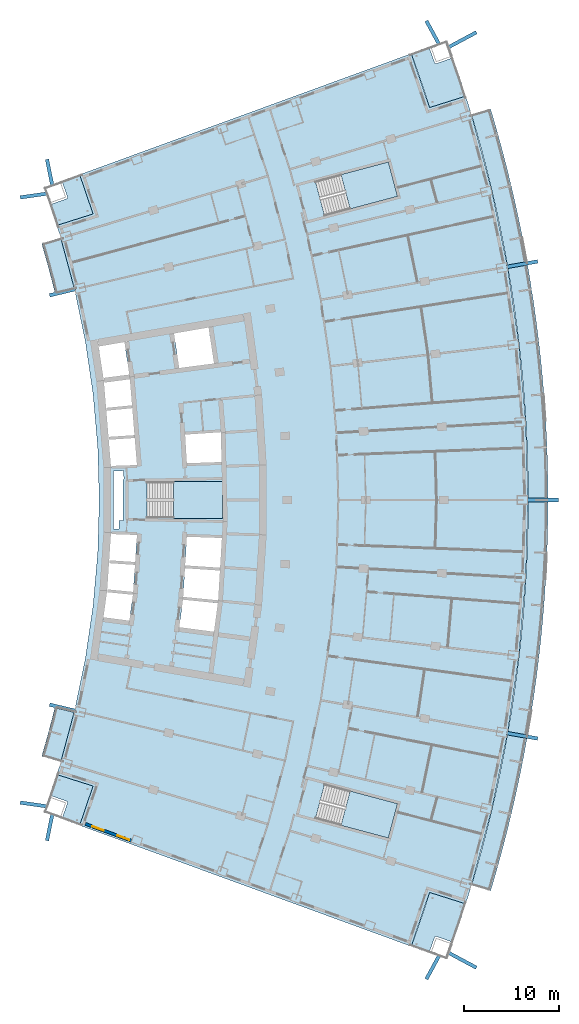
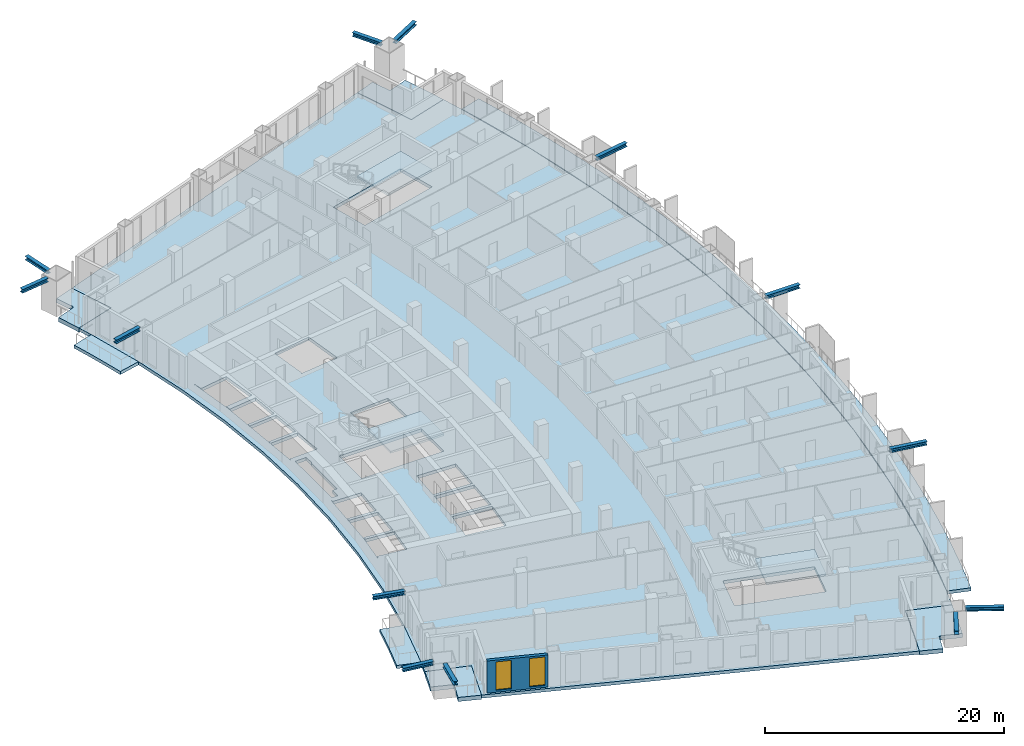
# One storey, part 12 of 25: 13 members, 11 slabs, 2 windows, 1 wall, 2 openings, 3 elements without a shape of their own.
"""IFC4 building model written with IfcOpenShell, lengths in metres."""

from ifc_helpers import new_model, si_unit, direction, frame, frame_2d, origin, origin_2d, place, context, subcontext, project, spatial, polyline, rectangle, i_section, outline, extrude, material, layer, layer_set, material_profile, profile_set, type_object, element, fill, aggregate, save


model = new_model("IFC4")

# Units and contexts
model_context = context("Model", 3, precision=1e-05, world=origin(), true_north=direction((0.0, 1.0)))
body_context = subcontext(model_context, "Body", "Model", "MODEL_VIEW")
ifc_project = project(units=[si_unit("LENGTHUNIT", "METRE"), si_unit("AREAUNIT", "SQUARE_METRE"), si_unit("VOLUMEUNIT", "CUBIC_METRE"), si_unit("PLANEANGLEUNIT", "RADIAN"), si_unit("MASSUNIT", "GRAM", prefix="KILO")], contexts=[model_context])

# Site, building, storey
site_placement = place(None, origin())
site = spatial("IfcSite", under=ifc_project, at=site_placement, CompositionType="ELEMENT")
building_placement = place(site_placement, origin())
building = spatial("IfcBuilding", under=site, at=building_placement, Name="Alderwake Tower", CompositionType="ELEMENT")
storey_placement = place(building_placement, frame((0.0, 0.0, 122.0)))
storey = spatial("IfcBuildingStorey", under=building, at=storey_placement, Name="L30", CompositionType="ELEMENT", Elevation=122.0)

# Members
ifc_material_1 = material(Name="Steel ASTM A992 Grade 50", Category="steel")
ifc_material_profile = material_profile(ifc_material_1, i_section(OverallWidth=0.3740234375, OverallDepth=0.372314453125, WebThickness=0.016357421875, FlangeThickness=0.026123046875, at=origin_2d()), Name="W14X132")
ifc_profile_set = profile_set([ifc_material_profile], Name="Steel ASTM A992 Grade 50")
member_type = type_object("IfcMemberType", Name="Brace node stub W14X132", PredefinedType="MEMBER", material=ifc_profile_set)
member_1_placement = place(storey_placement, frame((58.969482421875, 36.428955078125, 3.393798828125), z_axis=(0.984727618062, -0.174102033953, 0.0), x_axis=(0.174102033953, 0.984727618062, 0.0)))
element("IfcMember", 1, at=member_1_placement, inside=storey, type_object=member_type, Name="Brace node stub BS.FR04-C5.1256", PredefinedType="MEMBER", context=body_context, shape_type="SweptSolid", body=[
    extrude(i_section(OverallWidth=0.3740234375, OverallDepth=0.372314453125, WebThickness=0.016357421875, FlangeThickness=0.026123046875, at=origin_2d()), origin(), (0.0, 0.0, 1.0), 3.298095703125),
])
member_2_placement = place(storey_placement, frame((52.8798828125, 13.242919921875, 3.393798828125), z_axis=(0.881271469271, -0.472610407681, 0.0), x_axis=(0.472610407681, 0.881271469271, 0.0)))
element("IfcMember", 2, at=member_2_placement, inside=storey, type_object=member_type, Name="Brace node stub BS.FR01-C5.1256", PredefinedType="MEMBER", context=body_context, shape_type="SweptSolid", body=[
    extrude(i_section(OverallWidth=0.3740234375, OverallDepth=0.372314453125, WebThickness=0.016357421875, FlangeThickness=0.026123046875, at=origin_2d()), origin(), (0.0, 0.0, 1.0), 3.256591796875),
])
for number, where, z_axis, x_axis, name in (
    (3, (61.125, 61.0, 3.393798828125), (1.0, 0.0, 0.0), (0.0, 1.0, 0.0), "Brace node stub BS.FR07-C5.1256"),
    (4, (58.969482421875, 85.571044921875, 3.393798828125), (0.984727618062, 0.174102033953, 0.0), (-0.174102033953, 0.984727618062, 0.0), "Brace node stub BS.FR10-C5.1256"),
):
    element("IfcMember", number, at=place(storey_placement, frame(where, z_axis=z_axis, x_axis=x_axis)), inside=storey, type_object=member_type, Name=name, PredefinedType="MEMBER", context=body_context, shape_type="SweptSolid", body=[
        extrude(i_section(OverallWidth=0.3740234375, OverallDepth=0.372314453125, WebThickness=0.016357421875, FlangeThickness=0.026123046875, at=origin_2d()), origin(), (0.0, 0.0, 1.0), 3.298095703125),
    ])
member_3_placement = place(storey_placement, frame((52.8798828125, 108.757080078125, 3.393798828125), z_axis=(0.881271469271, 0.472610407681, 0.0), x_axis=(-0.472610407681, 0.881271469271, 0.0)))
element("IfcMember", 5, at=member_3_placement, inside=storey, type_object=member_type, Name="Brace node stub BS.FR13-C5.1256", PredefinedType="MEMBER", context=body_context, shape_type="SweptSolid", body=[
    extrude(i_section(OverallWidth=0.3740234375, OverallDepth=0.372314453125, WebThickness=0.016357421875, FlangeThickness=0.026123046875, at=origin_2d()), origin(), (0.0, 0.0, 1.0), 3.256591796875),
])
member_4_placement = place(storey_placement, frame((13.471435546875, 38.785400390625, 3.393798828125), z_axis=(-0.972896568738, 0.231240711248, 0.0), x_axis=(-0.231240711248, -0.972896568738, 0.0)))
element("IfcMember", 6, at=member_4_placement, inside=storey, type_object=member_type, Name="Brace node stub BS.RR03-C0.1256", PredefinedType="MEMBER", context=body_context, shape_type="SweptSolid", body=[
    extrude(i_section(OverallWidth=0.3740234375, OverallDepth=0.372314453125, WebThickness=0.016357421875, FlangeThickness=0.026123046875, at=origin_2d()), origin(), (0.0, 0.0, 1.0), 2.781005859375),
])
member_5_placement = place(storey_placement, frame((10.40869140625, 28.718994140625, 3.393798828125), z_axis=(-0.990079855611, 0.140505798859, 0.0), x_axis=(-0.140505798859, -0.990079855611, 0.0)))
element("IfcMember", 7, at=member_5_placement, inside=storey, type_object=member_type, Name="Brace node stub BS.RR01-C0.1256", PredefinedType="MEMBER", context=body_context, shape_type="SweptSolid", body=[
    extrude(i_section(OverallWidth=0.3740234375, OverallDepth=0.372314453125, WebThickness=0.016357421875, FlangeThickness=0.026123046875, at=origin_2d()), origin(), (0.0, 0.0, 1.0), 2.7626953125),
])
member_6_placement = place(storey_placement, frame((13.471435546875, 83.214599609375, 3.393798828125), z_axis=(-0.972896568738, -0.231240711248, 0.0), x_axis=(0.231240711248, -0.972896568738, 0.0)))
element("IfcMember", 8, at=member_6_placement, inside=storey, type_object=member_type, Name="Brace node stub BS.RR11-C0.1256", PredefinedType="MEMBER", context=body_context, shape_type="SweptSolid", body=[
    extrude(i_section(OverallWidth=0.3740234375, OverallDepth=0.372314453125, WebThickness=0.016357421875, FlangeThickness=0.026123046875, at=origin_2d()), origin(), (0.0, 0.0, 1.0), 2.781005859375),
])
member_7_placement = place(storey_placement, frame((10.40869140625, 93.281005859375, 3.393798828125), z_axis=(-0.990079855611, -0.140505798859, 0.0), x_axis=(0.140505798859, -0.990079855611, 0.0)))
element("IfcMember", 9, at=member_7_placement, inside=storey, type_object=member_type, Name="Brace node stub BS.RR13-C0.1256", PredefinedType="MEMBER", context=body_context, shape_type="SweptSolid", body=[
    extrude(i_section(OverallWidth=0.3740234375, OverallDepth=0.372314453125, WebThickness=0.016357421875, FlangeThickness=0.026123046875, at=origin_2d()), origin(), (0.0, 0.0, 1.0), 2.7626953125),
])
member_8_placement = place(storey_placement, frame((51.825439453125, 12.984375, 3.393798828125), z_axis=(-0.476085688447, -0.879398895414, 0.0), x_axis=(0.879398895414, -0.476085688447, 0.0)))
element("IfcMember", 10, at=member_8_placement, inside=storey, type_object=member_type, Name="Brace node stub BS.SR01-C5.1256", PredefinedType="MEMBER", context=body_context, shape_type="SweptSolid", body=[
    extrude(i_section(OverallWidth=0.3740234375, OverallDepth=0.372314453125, WebThickness=0.016357421875, FlangeThickness=0.026123046875, at=origin_2d()), origin(), (0.0, 0.0, 1.0), 2.828125),
])
member_9_placement = place(storey_placement, frame((11.057373046875, 27.870849609375, 3.393798828125), z_axis=(-0.199411495427, -0.979915841025, 0.0), x_axis=(0.979915841025, -0.199411495427, 0.0)))
element("IfcMember", 11, at=member_9_placement, inside=storey, type_object=member_type, Name="Brace node stub BS.SR01-C0.1256", PredefinedType="MEMBER", context=body_context, shape_type="SweptSolid", body=[
    extrude(i_section(OverallWidth=0.3740234375, OverallDepth=0.372314453125, WebThickness=0.016357421875, FlangeThickness=0.026123046875, at=origin_2d()), origin(), (0.0, 0.0, 1.0), 2.834228515625),
])
member_10_placement = place(storey_placement, frame((51.825439453125, 109.015625, 3.393798828125), z_axis=(-0.476085688447, 0.879398895414, 0.0), x_axis=(-0.879398895414, -0.476085688447, 0.0)))
element("IfcMember", 12, at=member_10_placement, inside=storey, type_object=member_type, Name="Brace node stub BS.NR13-C5.1256", PredefinedType="MEMBER", context=body_context, shape_type="SweptSolid", body=[
    extrude(i_section(OverallWidth=0.3740234375, OverallDepth=0.372314453125, WebThickness=0.016357421875, FlangeThickness=0.026123046875, at=origin_2d()), origin(), (0.0, 0.0, 1.0), 2.828125),
])
member_11_placement = place(storey_placement, frame((11.057373046875, 94.129150390625, 3.393798828125), z_axis=(-0.199411495427, 0.979915841025, 0.0), x_axis=(-0.979915841025, -0.199411495427, 0.0)))
element("IfcMember", 13, at=member_11_placement, inside=storey, type_object=member_type, Name="Brace node stub BS.NR13-C0.1256", PredefinedType="MEMBER", context=body_context, shape_type="SweptSolid", body=[
    extrude(i_section(OverallWidth=0.3740234375, OverallDepth=0.372314453125, WebThickness=0.016357421875, FlangeThickness=0.026123046875, at=origin_2d()), origin(), (0.0, 0.0, 1.0), 2.834228515625),
])

# Slabs
ifc_material_2 = material(Name="Concrete C50/60", Category="concrete")
ifc_layer_1 = layer(ifc_material_2, 0.320068359375)
ifc_layer_set_1 = layer_set([ifc_layer_1], Name="Balcony slab 320")
slab_type_1 = type_object("IfcSlabType", Name="Balcony slab 320", PredefinedType="FLOOR", material=ifc_layer_set_1)
slab_1_placement = place(storey_placement, frame((0.0, 0.0, -0.320068359375)))
element("IfcSlab", 14, at=slab_1_placement, inside=storey, type_object=slab_type_1, Name="Balcony BF02", PredefinedType="FLOOR", context=body_context, shape_type="SweptSolid", body=[
    extrude(outline(polyline([(57.247802734375, 19.794189453125), (57.834228515625, 21.800048828125), (58.39111328125, 23.814208984375), (58.918701171875, 25.83642578125), (59.416748046875, 27.865966796875), (59.885009765625, 29.902587890625), (60.32373046875, 31.94580078125), (60.732421875, 33.9951171875), (61.111328125, 36.05029296875), (61.460205078125, 38.11083984375), (61.77880859375, 40.176025390625), (62.0673828125, 42.245849609375), (62.325927734375, 44.319580078125), (62.553955078125, 46.39697265625), (62.751708984375, 48.477294921875), (62.919189453125, 50.560302734375), (63.056396484375, 52.6455078125), (63.162841796875, 54.732666015625), (63.239013671875, 56.821044921875), (63.284912109375, 58.910400390625), (63.300048828125, 61.0), (63.284912109375, 63.089599609375), (63.239013671875, 65.178955078125), (63.162841796875, 67.267333984375), (63.056396484375, 69.3544921875), (62.919189453125, 71.439697265625), (62.751708984375, 73.522705078125), (62.553955078125, 75.60302734375), (62.325927734375, 77.680419921875), (62.0673828125, 79.754150390625), (61.77880859375, 81.823974609375), (61.460205078125, 83.88916015625), (61.111328125, 85.94970703125), (60.732421875, 88.0048828125), (60.32373046875, 90.05419921875), (59.885009765625, 92.097412109375), (59.416748046875, 94.134033203125), (58.918701171875, 96.16357421875), (58.39111328125, 98.185791015625), (57.834228515625, 100.199951171875), (57.247802734375, 102.205810546875), (55.236572265625, 101.601806640625), (55.814208984375, 99.62548828125), (56.363037109375, 97.640869140625), (56.8828125, 95.648193359375), (57.37353515625, 93.6484375), (57.835205078125, 91.641845703125), (58.267333984375, 89.62841796875), (58.670166015625, 87.609130859375), (59.04345703125, 85.583984375), (59.38720703125, 83.5537109375), (59.701171875, 81.518798828125), (59.985595703125, 79.479248046875), (60.239990234375, 77.43603515625), (60.46484375, 75.38916015625), (60.659912109375, 73.339111328125), (60.82470703125, 71.28662109375), (60.959716796875, 69.23193359375), (61.06494140625, 67.175537109375), (61.139892578125, 65.11767578125), (61.18505859375, 63.05908203125), (61.199951171875, 61.0), (61.18505859375, 58.94091796875), (61.139892578125, 56.88232421875), (61.06494140625, 54.824462890625), (60.959716796875, 52.76806640625), (60.82470703125, 50.71337890625), (60.659912109375, 48.660888671875), (60.46484375, 46.61083984375), (60.239990234375, 44.56396484375), (59.985595703125, 42.520751953125), (59.701171875, 40.481201171875), (59.38720703125, 38.4462890625), (59.04345703125, 36.416015625), (58.670166015625, 34.390869140625), (58.267333984375, 32.37158203125), (57.835205078125, 30.358154296875), (57.37353515625, 28.3515625), (56.8828125, 26.351806640625), (56.363037109375, 24.359130859375), (55.814208984375, 22.37451171875), (55.236572265625, 20.398193359375), (57.247802734375, 19.794189453125)])), origin(), (0.0, 0.0, 1.0), 0.320068359375),
])
slab_2_placement = place(storey_placement, frame((0.0, 0.0, -0.320068359375)))
element("IfcSlab", 15, at=slab_2_placement, inside=storey, type_object=slab_type_1, Name="Balcony BR02", PredefinedType="FLOOR", context=body_context, shape_type="SweptSolid", body=[
    extrude(outline(polyline([(9.93408203125, 33.999267578125), (11.945556640625, 33.395263671875), (13.3984375, 38.802734375), (11.35546875, 39.288330078125), (11.029052734375, 37.95849609375), (10.683349609375, 36.63330078125), (10.318359375, 35.3134765625), (9.93408203125, 33.999267578125)])), origin(), (0.0, 0.0, 1.0), 0.320068359375),
])
slab_3_placement = place(storey_placement, frame((0.0, 0.0, -0.320068359375)))
element("IfcSlab", 16, at=slab_3_placement, inside=storey, type_object=slab_type_1, Name="Balcony BR11", PredefinedType="FLOOR", context=body_context, shape_type="SweptSolid", body=[
    extrude(outline(polyline([(11.35546875, 82.711669921875), (13.3984375, 83.197265625), (11.945556640625, 88.604736328125), (9.93408203125, 88.000732421875), (10.318359375, 86.6865234375), (10.683349609375, 85.36669921875), (11.029052734375, 84.04150390625), (11.35546875, 82.711669921875)])), origin(), (0.0, 0.0, 1.0), 0.320068359375),
])
ifc_material_3 = material(Name="Concrete C50/60", Category="concrete")
ifc_layer_2 = layer(ifc_material_3, 0.320068359375)
ifc_layer_set_2 = layer_set([ifc_layer_2], Name="Concrete C50/60 post-tensioned flat plate 320")
slab_type_2 = type_object("IfcSlabType", Name="Concrete C50/60 post-tensioned flat plate 320", PredefinedType="FLOOR", material=ifc_layer_set_2)
slab_4_placement = place(storey_placement, frame((0.0, 0.0, -0.320068359375)))
element("IfcSlab", 17, at=slab_4_placement, inside=storey, type_object=slab_type_2, Name="Floor slab L30", PredefinedType="FLOOR", context=body_context, shape_type="SweptSolid", body=[
    extrude(outline(polyline([(11.533203125, 32.057373046875), (11.945556640625, 33.395263671875), (13.3984375, 38.802734375), (14.53369140625, 44.28564453125), (15.347412109375, 49.825439453125), (15.836669921875, 55.4033203125), (16.0, 61.0), (15.836669921875, 66.5966796875), (15.347412109375, 72.174560546875), (14.53369140625, 77.71435546875), (13.3984375, 83.197265625), (11.945556640625, 88.604736328125), (11.533203125, 89.942626953125), (15.34716796875, 91.1484375), (13.937255859375, 95.289794921875), (48.8818359375, 108.045654296875), (50.816162109375, 102.36376953125), (54.630126953125, 103.569580078125), (55.236572265625, 101.601806640625), (57.37353515625, 93.6484375), (59.04345703125, 85.583984375), (60.239990234375, 77.43603515625), (60.959716796875, 69.23193359375), (61.199951171875, 61.0), (60.959716796875, 52.76806640625), (60.239990234375, 44.56396484375), (59.04345703125, 36.416015625), (57.37353515625, 28.3515625), (55.236572265625, 20.398193359375), (54.630126953125, 18.430419921875), (50.816162109375, 19.63623046875), (48.8818359375, 13.954345703125), (13.937255859375, 26.710205078125), (15.34716796875, 30.8515625), (11.533203125, 32.057373046875)]), holes=[polyline([(16.84375, 51.279541015625), (16.8583984375, 51.4287109375), (16.873291015625, 51.577880859375), (19.574951171875, 51.31103515625), (19.76611328125, 54.161376953125), (17.0537109375, 54.34326171875), (17.06396484375, 54.492919921875), (17.073974609375, 54.642578125), (19.7861328125, 54.460693359375), (19.977294921875, 57.31103515625), (17.263916015625, 57.406982421875), (17.269287109375, 57.556884765625), (17.2392578125, 57.55810546875), (17.033935546875, 54.494873046875), (16.82861328125, 51.431640625), (16.82861328125, 51.431640625), (16.41015625, 48.39013671875), (16.43994140625, 48.38623046875), (16.472412109375, 48.63427734375), (19.18017578125, 48.280029296875), (19.545166015625, 51.012451171875), (16.84375, 51.279541015625)]), polyline([(29.0, 62.875), (21.050048828125, 62.875), (21.050048828125, 59.125), (29.0, 59.125), (29.0, 62.875)]), polyline([(19.738525390625, 67.5361328125), (17.02587890625, 67.354248046875), (17.015869140625, 67.50390625), (17.005859375, 67.653564453125), (19.7138671875, 67.835205078125), (19.47802734375, 70.679443359375), (16.777099609375, 70.41259765625), (16.76220703125, 70.561767578125), (16.74755859375, 70.7109375), (19.453125, 70.978515625), (19.2255859375, 73.725830078125), (16.541015625, 73.374755859375), (16.508544921875, 73.62255859375), (16.47607421875, 73.87060546875), (19.16796875, 74.22265625), (18.656982421875, 77.6376953125), (18.90283203125, 77.674560546875), (18.900146484375, 77.690673828125), (15.96826171875, 77.183837890625), (15.836669921875, 77.94482421875), (15.58544921875, 77.900390625), (15.586181640625, 77.896484375), (15.8154296875, 77.931884765625), (16.478515625, 73.61865234375), (16.47900390625, 73.61376953125), (16.732421875, 70.558837890625), (16.98583984375, 67.501953125), (17.239501953125, 64.4443359375), (17.239501953125, 64.44189453125), (17.269287109375, 64.443115234375), (17.263916015625, 64.593017578125), (19.974609375, 64.68896484375), (19.738525390625, 67.5361328125)]), polyline([(47.436279296875, 28.996826171875), (39.754150390625, 31.043212890625), (38.7890625, 27.41943359375), (46.47119140625, 25.373291015625), (47.436279296875, 28.996826171875)]), polyline([(24.82470703125, 50.49072265625), (24.8291015625, 50.534423828125), (24.825439453125, 50.534912109375), (24.43212890625, 47.59326171875), (28.095703125, 47.114013671875), (28.497802734375, 50.127685546875), (24.82470703125, 50.49072265625)]), polyline([(25.031005859375, 53.808349609375), (24.84521484375, 50.735595703125), (24.848876953125, 50.7353515625), (24.854248046875, 50.789306640625), (28.5341796875, 50.42578125), (28.719970703125, 53.56103515625), (25.031005859375, 53.808349609375)]), polyline([(28.92333984375, 56.994384765625), (25.2314453125, 57.125), (25.049072265625, 54.10791015625), (28.737548828125, 53.860595703125), (28.92333984375, 56.994384765625)]), polyline([(28.819091796875, 68.089599609375), (28.814697265625, 68.14453125), (25.05126953125, 67.892333984375), (25.232177734375, 64.875), (28.887451171875, 65.00439453125), (28.819091796875, 68.089599609375)]), polyline([(28.09619140625, 75.390380859375), (27.523193359375, 79.181396484375), (23.877685546875, 78.551025390625), (24.427001953125, 74.915283203125), (24.368896484375, 74.90673828125), (24.36962890625, 74.90283203125), (28.09619140625, 75.390380859375)]), polyline([(46.47119140625, 96.626708984375), (38.7890625, 94.58056640625), (39.754150390625, 90.956787109375), (47.436279296875, 93.003173828125), (46.47119140625, 96.626708984375)]), polyline([(17.489501953125, 64.050537109375), (17.4892578125, 57.949462890625), (18.065673828125, 57.928955078125), (18.090576171875, 58.84326171875), (18.544189453125, 58.8310546875), (18.529296875, 58.8681640625), (18.5234375, 58.89208984375), (18.5185546875, 58.94091796875), (18.5185546875, 63.060302734375), (18.5234375, 63.109130859375), (18.53759765625, 63.156005859375), (18.560791015625, 63.19921875), (18.588623046875, 63.233642578125), (18.565185546875, 64.088623046875), (17.489501953125, 64.050537109375)])]), origin(), (0.0, 0.0, 1.0), 0.320068359375),
])

# Stair, slab
ifc_material_4 = material(Name="Concrete C40/50", Category="concrete")
stair_type = type_object("IfcStairType", Name="Core exit stair", PredefinedType="HALF_TURN_STAIR", material=ifc_material_4)
stair_1_placement = place(storey_placement, origin())
stair_1 = element("IfcStair", 18, at=stair_1_placement, inside=storey, type_object=stair_type, Name="L30 Exit Stair B", PredefinedType="HALF_TURN_STAIR")
ifc_material_5 = material(Name="Concrete C40/50", Category="concrete")
ifc_layer_3 = layer(ifc_material_5, 0.199951171875)
ifc_layer_set_3 = layer_set([ifc_layer_3], Name="Core stair landing 200")
slab_type_3 = type_object("IfcSlabType", Name="Core stair landing 200", PredefinedType="LANDING", material=ifc_layer_set_3)
slab_5_placement = place(storey_placement, frame((0.0, 0.0, 1.60009765625)))
slab_5 = element("IfcSlab", 19, at=slab_5_placement, type_object=slab_type_3, Name="ST-B landing 1", PredefinedType="LANDING", context=body_context, shape_type="SweptSolid", body=[
    extrude(outline(polyline([(23.830078125, 59.074951171875), (29.0, 59.074951171875), (29.0, 62.925048828125), (23.830078125, 62.925048828125), (23.830078125, 59.074951171875)])), origin(), (0.0, 0.0, 1.0), 0.199951171875),
])
aggregate(stair_1, [slab_5])

stair_2_placement = place(storey_placement, origin())
stair_2 = element("IfcStair", 20, at=stair_2_placement, inside=storey, type_object=stair_type, Name="L30 Exit Stair A", PredefinedType="HALF_TURN_STAIR")
slab_6_placement = place(storey_placement, frame((0.0, 0.0, 1.60009765625)))
slab_6 = element("IfcSlab", 21, at=slab_6_placement, type_object=slab_type_3, Name="ST-A landing 1", PredefinedType="LANDING", context=body_context, shape_type="SweptSolid", body=[
    extrude(outline(polyline([(42.440673828125, 91.67236328125), (47.436279296875, 93.003173828125), (46.47119140625, 96.626708984375), (41.475341796875, 95.296142578125), (42.440673828125, 91.67236328125)])), origin(), (0.0, 0.0, 1.0), 0.199951171875),
])
aggregate(stair_2, [slab_6])

stair_3_placement = place(storey_placement, origin())
stair_3 = element("IfcStair", 22, at=stair_3_placement, inside=storey, type_object=stair_type, Name="L30 Exit Stair C", PredefinedType="HALF_TURN_STAIR")
slab_7_placement = place(storey_placement, frame((0.0, 0.0, 1.60009765625)))
slab_7 = element("IfcSlab", 23, at=slab_7_placement, type_object=slab_type_3, Name="ST-C landing 1", PredefinedType="LANDING", context=body_context, shape_type="SweptSolid", body=[
    extrude(outline(polyline([(41.475341796875, 26.703857421875), (46.47119140625, 25.373291015625), (47.436279296875, 28.996826171875), (42.4404296875, 30.32763671875), (41.475341796875, 26.703857421875)])), origin(), (0.0, 0.0, 1.0), 0.199951171875),
])
aggregate(stair_3, [slab_7])

# Slabs
ifc_material_6 = material(Name="Concrete C50/60", Category="concrete")
ifc_layer_4 = layer(ifc_material_6, 0.419921875)
ifc_layer_set_4 = layer_set([ifc_layer_4], Name="Terrace slab 420")
slab_type_4 = type_object("IfcSlabType", Name="Terrace slab 420", PredefinedType="FLOOR", material=ifc_layer_set_4)
slab_8_placement = place(storey_placement, frame((0.0, 0.0, -0.419921875)))
element("IfcSlab", 24, at=slab_8_placement, inside=storey, type_object=slab_type_4, Name="Corner terrace FS", PredefinedType="FLOOR", context=body_context, shape_type="SweptSolid", body=[
    extrude(outline(polyline([(53.331298828125, 14.522216796875), (53.279296875, 14.3759765625), (51.54150390625, 14.99755859375), (51.527587890625, 15.001953125), (51.51318359375, 15.004638671875), (51.498291015625, 15.006103515625), (51.483642578125, 15.006103515625), (51.468994140625, 15.004638671875), (51.45458984375, 15.001953125), (51.4404296875, 14.99755859375), (51.427001953125, 14.991943359375), (51.4140625, 14.985107421875), (51.401611328125, 14.976806640625), (51.390380859375, 14.967529296875), (51.3798828125, 14.95703125), (51.37060546875, 14.94580078125), (51.3623046875, 14.93359375), (51.35546875, 14.92041015625), (51.349853515625, 14.906982421875), (50.777099609375, 13.306396484375), (50.77294921875, 13.292236328125), (50.77001953125, 13.277587890625), (50.768798828125, 13.265625), (48.8818359375, 13.954345703125), (49.55419921875, 15.8388671875), (50.19921875, 17.73291015625), (50.816162109375, 19.63623046875), (54.630126953125, 18.430419921875), (53.9951171875, 16.471435546875), (53.331298828125, 14.522216796875)])), origin(), (0.0, 0.0, 1.0), 0.419921875),
])
slab_9_placement = place(storey_placement, frame((0.0, 0.0, -0.419921875)))
element("IfcSlab", 25, at=slab_9_placement, inside=storey, type_object=slab_type_4, Name="Corner terrace RS", PredefinedType="FLOOR", context=body_context, shape_type="SweptSolid", body=[
    extrude(outline(polyline([(13.937255859375, 26.710205078125), (12.04931640625, 27.3994140625), (12.0537109375, 27.40380859375), (12.06298828125, 27.4150390625), (12.071044921875, 27.427490234375), (12.077880859375, 27.4404296875), (12.08349609375, 27.4541015625), (12.651611328125, 29.056396484375), (12.65576171875, 29.0703125), (12.65869140625, 29.084716796875), (12.66015625, 29.099609375), (12.659912109375, 29.1142578125), (12.658447265625, 29.12890625), (12.655517578125, 29.143310546875), (12.6513671875, 29.157470703125), (12.6455078125, 29.1708984375), (12.638671875, 29.183837890625), (12.63037109375, 29.196044921875), (12.62109375, 29.20751953125), (12.610595703125, 29.218017578125), (12.59912109375, 29.227294921875), (12.5869140625, 29.2353515625), (12.573974609375, 29.2421875), (12.560302734375, 29.247802734375), (10.8095703125, 29.868408203125), (11.101318359375, 30.7255859375), (11.533203125, 32.057373046875), (15.34716796875, 30.8515625), (13.937255859375, 26.710205078125)])), origin(), (0.0, 0.0, 1.0), 0.419921875),
])
slab_10_placement = place(storey_placement, frame((0.0, 0.0, -0.419921875)))
element("IfcSlab", 26, at=slab_10_placement, inside=storey, type_object=slab_type_4, Name="Corner terrace FN", PredefinedType="FLOOR", context=body_context, shape_type="SweptSolid", body=[
    extrude(outline(polyline([(53.331298828125, 107.477783203125), (53.9951171875, 105.528564453125), (54.630126953125, 103.569580078125), (50.816162109375, 102.36376953125), (50.19921875, 104.26708984375), (49.55419921875, 106.1611328125), (48.8818359375, 108.045654296875), (50.768798828125, 108.734375), (50.77001953125, 108.722412109375), (50.77294921875, 108.707763671875), (50.777099609375, 108.693603515625), (51.349853515625, 107.093017578125), (51.35546875, 107.07958984375), (51.3623046875, 107.06640625), (51.37060546875, 107.05419921875), (51.3798828125, 107.04296875), (51.390380859375, 107.032470703125), (51.401611328125, 107.023193359375), (51.4140625, 107.014892578125), (51.427001953125, 107.008056640625), (51.4404296875, 107.00244140625), (51.45458984375, 106.998046875), (51.468994140625, 106.995361328125), (51.483642578125, 106.993896484375), (51.498291015625, 106.993896484375), (51.51318359375, 106.995361328125), (51.527587890625, 106.998046875), (51.54150390625, 107.00244140625), (53.279296875, 107.6240234375), (53.331298828125, 107.477783203125)])), origin(), (0.0, 0.0, 1.0), 0.419921875),
])
slab_11_placement = place(storey_placement, frame((0.0, 0.0, -0.419921875)))
element("IfcSlab", 27, at=slab_11_placement, inside=storey, type_object=slab_type_4, Name="Corner terrace RN", PredefinedType="FLOOR", context=body_context, shape_type="SweptSolid", body=[
    extrude(outline(polyline([(10.8095703125, 92.131591796875), (12.560302734375, 92.752197265625), (12.573974609375, 92.7578125), (12.5869140625, 92.7646484375), (12.59912109375, 92.772705078125), (12.610595703125, 92.781982421875), (12.62109375, 92.79248046875), (12.63037109375, 92.803955078125), (12.638671875, 92.816162109375), (12.6455078125, 92.8291015625), (12.6513671875, 92.842529296875), (12.655517578125, 92.856689453125), (12.658447265625, 92.87109375), (12.659912109375, 92.8857421875), (12.66015625, 92.900390625), (12.65869140625, 92.915283203125), (12.65576171875, 92.9296875), (12.651611328125, 92.943603515625), (12.08349609375, 94.5458984375), (12.077880859375, 94.5595703125), (12.071044921875, 94.572509765625), (12.06298828125, 94.5849609375), (12.0537109375, 94.59619140625), (12.04931640625, 94.6005859375), (13.937255859375, 95.289794921875), (15.34716796875, 91.1484375), (11.533203125, 89.942626953125), (11.101318359375, 91.2744140625), (10.8095703125, 92.131591796875)])), origin(), (0.0, 0.0, 1.0), 0.419921875),
])

# Wall, openings, windows
ifc_material_7 = material(Name="Bronze metal cladding on lightweight framing")
ifc_layer_5 = layer(ifc_material_7, 0.300048828125)
ifc_layer_set_5 = layer_set([ifc_layer_5], Name="External wall EW2 bronze metal cladding")
wall_type = type_object("IfcWallType", Name="External wall EW2 bronze metal cladding", PredefinedType="SOLIDWALL", material=ifc_layer_set_5)
wall_placement = place(storey_placement, frame((14.523681640625, 26.86865234375, 0.0), z_axis=(0.0, 0.0, 1.0), x_axis=(0.939378067131, -0.342883138974, 0.0)))
wall = element("IfcWall", 28, at=wall_placement, inside=storey, type_object=wall_type, Name="External wall 4", PredefinedType="SOLIDWALL", context=body_context, shape_type="SweptSolid", body=[
    extrude(rectangle(XDim=5.17431640625, YDim=0.300048828125, at=frame_2d((2.587158203125, 0.0))), origin(), (0.0, 0.0, 1.0), 3.280029296875),
])
opening_1_placement = place(wall_placement, frame((0.775390625, 0.0, 0.199951171875)))
opening_1 = element("IfcOpeningElement", 29, at=opening_1_placement, cuts=wall, Name="Opening W1", PredefinedType="OPENING", context=body_context, shape_type="SweptSolid", body=[
    extrude(rectangle(XDim=1.300048828125, YDim=2.89990234375, at=frame_2d((0.64990234375, 1.449951171875))), frame((0.0, 0.159912109375, 0.0), z_axis=(0.0, -1.0, 0.0), x_axis=(1.0, 0.0, 0.0)), (0.0, 0.0, 1.0), 0.320068359375),
])
opening_2_placement = place(wall_placement, frame((3.626220703125, 0.0, 0.199951171875)))
opening_2 = element("IfcOpeningElement", 30, at=opening_2_placement, cuts=wall, Name="Opening W1", PredefinedType="OPENING", context=body_context, shape_type="SweptSolid", body=[
    extrude(rectangle(XDim=1.300048828125, YDim=2.89990234375, at=frame_2d((0.64990234375, 1.449951171875))), frame((0.0, 0.159912109375, 0.0), z_axis=(0.0, -1.0, 0.0), x_axis=(1.0, 0.0, 0.0)), (0.0, 0.0, 1.0), 0.320068359375),
])
ifc_material_8 = material(Name="Bronze tinted glass in aluminium frame", Category="aluminium")
window_type = type_object("IfcWindowType", Name="Window W1 tall fixed and vent", PartitioningType="DOUBLE_PANEL_VERTICAL", PredefinedType="WINDOW", material=ifc_material_8)
window_1_placement = place(opening_1_placement, origin())
window_1 = element("IfcWindow", 31, at=window_1_placement, inside=storey, type_object=window_type, Name="Window W1 tall fixed and vent", OverallHeight=2.89990234375, OverallWidth=1.300048828125, PartitioningType="DOUBLE_PANEL_VERTICAL", PredefinedType="WINDOW", context=body_context, shape_type="SweptSolid", body=[
    extrude(rectangle(XDim=1.300048828125, YDim=2.89990234375, at=frame_2d((0.64990234375, 1.449951171875))), frame((0.0, 0.030029296875, 0.0), z_axis=(0.0, -1.0, 0.0), x_axis=(1.0, 0.0, 0.0)), (0.0, 0.0, 1.0), 0.06005859375),
])
fill(opening_1, window_1)
window_2_placement = place(opening_2_placement, origin())
window_2 = element("IfcWindow", 32, at=window_2_placement, inside=storey, type_object=window_type, Name="Window W1 tall fixed and vent", OverallHeight=2.89990234375, OverallWidth=1.300048828125, PartitioningType="DOUBLE_PANEL_VERTICAL", PredefinedType="WINDOW", context=body_context, shape_type="SweptSolid", body=[
    extrude(rectangle(XDim=1.300048828125, YDim=2.89990234375, at=frame_2d((0.64990234375, 1.449951171875))), frame((0.0, 0.030029296875, 0.0), z_axis=(0.0, -1.0, 0.0), x_axis=(1.0, 0.0, 0.0)), (0.0, 0.0, 1.0), 0.06005859375),
])
fill(opening_2, window_2)

save(model, "model.ifc")
